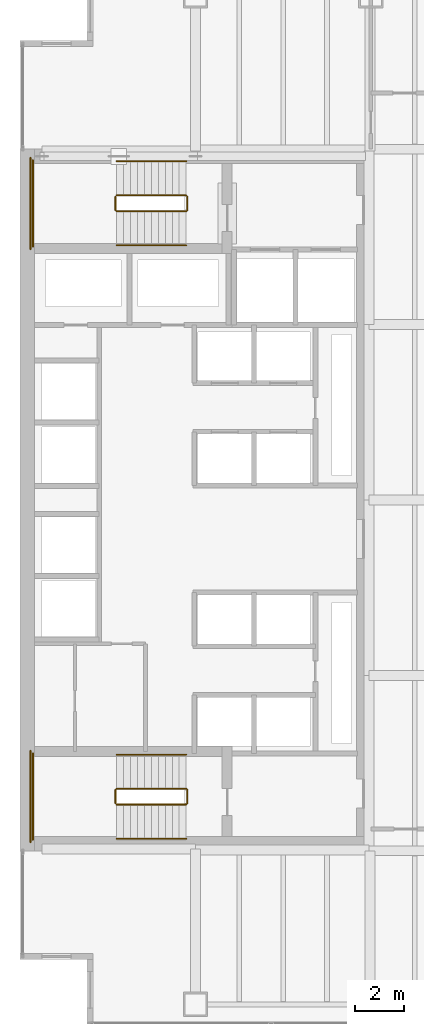
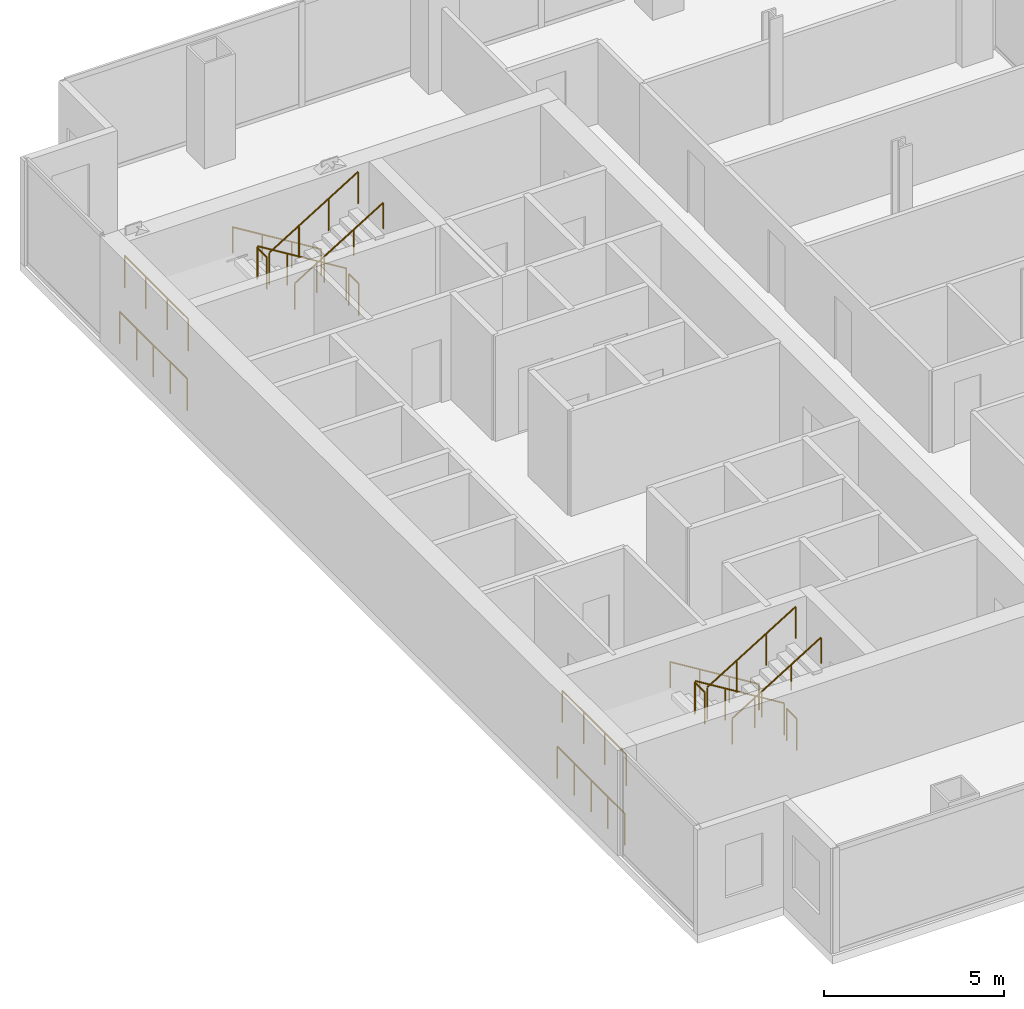
# One storey, part 23 of 23: 16 railings.
"""IFC4 building model written with IfcOpenShell, lengths in metres."""

import ifcopenshell
import ifcopenshell.guid

model = None  # the IFC model being written
_history = None  # IfcOwnerHistory: only IFC2X3 demands one
_inside = {}  # id of a spatial element -> (the spatial element, [elements in it])
_under = {}  # id of a project, library or spatial element -> (it, [spatial elements below it])
_declared = {}  # id of a project -> (the project, [libraries it declares])
_typed = {}  # id of a type object -> (the type object, [elements of that type])
_made_of = {}  # id of a material, layer set ... -> (it, [elements and type objects made of it])


def new_model(schema):
    """Start an empty IFC model of exactly this schema.

    Asked for "IFC4X3", IfcOpenShell would pick the latest addendum, in which some entities
    have other attributes; the version numbers below select the first issue.
    IFC2X3 requires an IfcOwnerHistory on every rooted entity: one is made here for all.
    """
    global model, _history
    if schema == "IFC4X3":
        model = ifcopenshell.file(schema_version=(4, 3, 0, 0))
    else:
        model = ifcopenshell.file(schema=schema)
    _inside.clear()
    _under.clear()
    _declared.clear()
    _typed.clear()
    _made_of.clear()
    _history = None
    if model.schema == "IFC2X3":
        org = make("IfcOrganization", Name="unknown")
        user = make(
            "IfcPersonAndOrganization",
            ThePerson=make("IfcPerson", FamilyName="unknown"),
            TheOrganization=org,
        )
        app = make(
            "IfcApplication",
            ApplicationDeveloper=org,
            Version="unknown",
            ApplicationFullName="unknown",
            ApplicationIdentifier="unknown",
        )
        _history = make(
            "IfcOwnerHistory",
            OwningUser=user,
            OwningApplication=app,
            ChangeAction="ADDED",
            CreationDate=0,
        )
    return model


def make(cls, **values):
    """One entity of the class cls with the attributes given. An attribute that is None is left unset."""
    return model.create_entity(
        cls, **{name: value for name, value in values.items() if value is not None}
    )


def rooted(cls, **values):
    """An entity with a GlobalId (a new one), such as an element, a storey or a relation."""
    return make(cls, GlobalId=ifcopenshell.guid.new(), OwnerHistory=_history, **values)


def si_unit(unit_type, name, prefix=None):
    """IfcSIUnit, for example si_unit("LENGTHUNIT", "METRE", prefix="MILLI")."""
    return make("IfcSIUnit", UnitType=unit_type, Prefix=prefix, Name=name)


def assignment(units):
    """IfcUnitAssignment: the units of a project."""
    return None if units is None else make("IfcUnitAssignment", Units=units)


def point(xyz):
    """IfcCartesianPoint."""
    return None if xyz is None else make("IfcCartesianPoint", Coordinates=xyz)


def direction(xyz):
    """IfcDirection."""
    return None if xyz is None else make("IfcDirection", DirectionRatios=xyz)


def frame(location, z_axis=None, x_axis=None):
    """IfcAxis2Placement3D, a coordinate frame: its origin and axes. An axis left out is left unset."""
    return make(
        "IfcAxis2Placement3D",
        Location=point(location),
        Axis=direction(z_axis),
        RefDirection=direction(x_axis),
    )


def frame_2d(location, x_axis=None):
    """IfcAxis2Placement2D, a coordinate frame in the plane: its origin and x axis."""
    return make(
        "IfcAxis2Placement2D", Location=point(location), RefDirection=direction(x_axis)
    )


def origin():
    """The frame at (0, 0, 0) with its axes left unset."""
    return frame((0.0, 0.0, 0.0))


def origin_2d():
    """The frame at (0, 0) in the plane with its x axis left unset."""
    return frame_2d((0.0, 0.0))


def place(relative_to, where):
    """IfcLocalPlacement: puts the frame where relative to a parent placement (None: the world)."""
    return make(
        "IfcLocalPlacement", PlacementRelTo=relative_to, RelativePlacement=where
    )


def context(
    kind, dimensions, precision=None, world=None, true_north=None, identifier=None
):
    """IfcGeometricRepresentationContext, for example the 3D "Model" context."""
    return make(
        "IfcGeometricRepresentationContext",
        ContextIdentifier=identifier,
        ContextType=kind,
        CoordinateSpaceDimension=dimensions,
        Precision=precision,
        WorldCoordinateSystem=world,
        TrueNorth=true_north,
    )


def subcontext(parent, identifier, kind, view, scale=None):
    """IfcGeometricRepresentationSubContext, for example "Body" below "Model"."""
    return make(
        "IfcGeometricRepresentationSubContext",
        ContextIdentifier=identifier,
        ContextType=kind,
        ParentContext=parent,
        TargetScale=scale,
        TargetView=view,
    )


def project(units=None, contexts=None):
    """IfcProject with its units and contexts."""
    return rooted(
        "IfcProject",
        Name="project",
        RepresentationContexts=contexts,
        UnitsInContext=assignment(units),
    )


def spatial(cls, under=None, at=None, **own):
    """A site, building, storey or space (cls), placed at a placement, below another one or the project."""
    s = rooted(cls, ObjectPlacement=at, **own)
    if under is not None:
        _under.setdefault(under.id(), (under, []))[1].append(s)
    return s


def profile(cls, at=None, kind="AREA", **sizes):
    """A parametric profile (cls). Its sizes go by their IFC names, for example OverallWidth=200.0."""
    return make(cls, ProfileType=kind, Position=at, **sizes)


def circle(**sizes):
    """IfcCircleProfileDef."""
    return profile("IfcCircleProfileDef", **sizes)


def extrude(swept, where, along, depth):
    """IfcExtrudedAreaSolid: the profile swept, set in the frame where, extruded along a direction by depth."""
    return make(
        "IfcExtrudedAreaSolid",
        SweptArea=swept,
        Position=where,
        ExtrudedDirection=direction(along),
        Depth=depth,
    )


def shape(context_of_items, identifier, shape_type, items):
    """IfcShapeRepresentation: the items that make up one representation, for example the "Body"."""
    return make(
        "IfcShapeRepresentation",
        ContextOfItems=context_of_items,
        RepresentationIdentifier=identifier,
        RepresentationType=shape_type,
        Items=items,
    )


def material(Name=None, Category=None):
    """IfcMaterial."""
    return make("IfcMaterial", Name=Name, Category=Category)


def made_of(thing, what):
    """Note that an element or type object is made of a material, layer set ...; save() writes the relation."""
    if what is not None:
        _made_of.setdefault(what.id(), (what, []))[1].append(thing)
    return thing


def type_object(cls, material=None, **own):
    """A type object (cls), such as IfcWallType, which elements share."""
    return made_of(rooted(cls, **own), material)


def element(
    cls,
    number,
    at=None,
    inside=None,
    cuts=None,
    type_object=None,
    material=None,
    context=None,
    identifier="Body",
    shape_type=None,
    held_by="IfcProductDefinitionShape",
    body=None,
    shapes=None,
    **own,
):
    """One element of the class cls, such as IfcWall. Its Tag is "e" and its number.

    at: its placement. inside: the storey or other place that contains it. cuts: it is an
    opening in that element (IfcRelVoidsElement). A single representation is given by context,
    identifier, shape_type and body (its items); several are given by shapes. held_by: the class
    of the entity that holds the representations. save() writes the other relations.
    """
    e = rooted(cls, Tag="e%d" % number, ObjectPlacement=at, **own)
    if body is not None:
        shapes = [shape(context, identifier, shape_type, body)]
    if shapes is not None:
        e.Representation = make(held_by, Representations=shapes)
    if inside is not None:
        _inside.setdefault(inside.id(), (inside, []))[1].append(e)
    if cuts is not None:
        rooted(
            "IfcRelVoidsElement", RelatingBuildingElement=cuts, RelatedOpeningElement=e
        )
    if type_object is not None:
        _typed.setdefault(type_object.id(), (type_object, []))[1].append(e)
    return made_of(e, material)


def aggregate(whole, parts):
    """IfcRelAggregates: a whole, such as a stair, and the parts it consists of."""
    return rooted("IfcRelAggregates", RelatingObject=whole, RelatedObjects=parts)


def save(model, path):
    """Write the relations noted so far, then the file.

    IfcRelAggregates (storeys below a building ...), IfcRelContainedInSpatialStructure (elements
    in a storey), IfcRelDefinesByType, IfcRelAssociatesMaterial and IfcRelDeclares: one each for
    every whole, place, type object, material and project.
    """
    for whole, parts in _under.values():
        aggregate(whole, parts)
    for where, things in _inside.values():
        rooted(
            "IfcRelContainedInSpatialStructure",
            RelatedElements=things,
            RelatingStructure=where,
        )
    for kind, things in _typed.values():
        rooted("IfcRelDefinesByType", RelatedObjects=things, RelatingType=kind)
    for what, things in _made_of.values():
        rooted("IfcRelAssociatesMaterial", RelatedObjects=things, RelatingMaterial=what)
    for by, libraries in _declared.values():
        rooted("IfcRelDeclares", RelatingContext=by, RelatedDefinitions=libraries)
    model.write(path)


model = new_model("IFC4")

# Units and contexts
model_context = context("Model", 3, precision=1e-05, world=origin(), true_north=direction((0.0, 1.0)))
body_context = subcontext(model_context, "Body", "Model", "MODEL_VIEW")
ifc_project = project(units=[si_unit("LENGTHUNIT", "METRE"), si_unit("AREAUNIT", "SQUARE_METRE"), si_unit("VOLUMEUNIT", "CUBIC_METRE"), si_unit("PLANEANGLEUNIT", "RADIAN"), si_unit("MASSUNIT", "GRAM", prefix="KILO")], contexts=[model_context])

# Site, building, storey
site_placement = place(None, origin())
site = spatial("IfcSite", under=ifc_project, at=site_placement, CompositionType="ELEMENT")
building_placement = place(site_placement, origin())
building = spatial("IfcBuilding", under=site, at=building_placement, Name="Cobrela Telecom Tower", CompositionType="ELEMENT")
storey_placement = place(building_placement, frame((0.0, 0.0, 73.5)))
storey = spatial("IfcBuildingStorey", under=building, at=storey_placement, Name="L18", CompositionType="ELEMENT", Elevation=73.5)

# Railings
ifc_material = material(Name="Steel ASTM A36", Category="steel")
railing_type_1 = type_object("IfcRailingType", Name="RAIL-GUARD-1100", PredefinedType="GUARDRAIL", material=ifc_material)
railing_1_placement = place(storey_placement, frame((6.820068359375, 34.10009765625, 0.175048828125)))
element("IfcRailing", 1, at=railing_1_placement, inside=storey, type_object=railing_type_1, Name="L18 ST1 stair guard 1", PredefinedType="GUARDRAIL", context=body_context, shape_type="SweptSolid", body=[
    extrude(circle(Radius=0.02392578125, at=origin_2d()), frame((0.0, 0.0, 1.076171875), z_axis=(-0.852179220489, 0.0, 0.52325001306), x_axis=(0.0, -1.0, 0.0)), (0.0, 0.0, 1.0), 3.344482421875),
    extrude(circle(Radius=0.02099609375, at=origin_2d()), origin(), (0.0, 0.0, 1.0), 1.052001953125),
    extrude(circle(Radius=0.02099609375, at=origin_2d()), frame((-0.949951171875, 0.0, 0.583251953125)), (0.0, 0.0, 1.0), 1.052001953125),
    extrude(circle(Radius=0.02099609375, at=origin_2d()), frame((-1.900146484375, 0.0, 1.166748046875)), (0.0, 0.0, 1.0), 1.052001953125),
    extrude(circle(Radius=0.02099609375, at=origin_2d()), frame((-2.85009765625, 0.0, 1.75)), (0.0, 0.0, 1.0), 1.052001953125),
])
railing_2_placement = place(storey_placement, frame((3.919921875, 34.050048828125, 1.925048828125)))
element("IfcRailing", 2, at=railing_2_placement, inside=storey, type_object=railing_type_1, Name="L18 ST1 stair guard 2", PredefinedType="GUARDRAIL", context=body_context, shape_type="SweptSolid", body=[
    extrude(circle(Radius=0.02392578125, at=origin_2d()), frame((0.0, 0.0, 1.076171875), z_axis=(0.0, -1.0, 0.0), x_axis=(1.0, 0.0, 0.0)), (0.0, 0.0, 1.0), 0.550048828125),
    extrude(circle(Radius=0.02099609375, at=origin_2d()), origin(), (0.0, 0.0, 1.0), 1.052001953125),
    extrude(circle(Radius=0.02099609375, at=origin_2d()), frame((0.0, -0.550048828125, 0.0)), (0.0, 0.0, 1.0), 1.052001953125),
])
railing_3_placement = place(storey_placement, frame((0.530029296875, 35.550048828125, 1.925048828125)))
element("IfcRailing", 3, at=railing_3_placement, inside=storey, type_object=railing_type_1, Name="L18 ST1 stair guard 3", PredefinedType="GUARDRAIL", context=body_context, shape_type="SweptSolid", body=[
    extrude(circle(Radius=0.02392578125, at=origin_2d()), frame((0.0, 0.0, 1.076171875), z_axis=(0.0, -1.0, 0.0), x_axis=(1.0, 0.0, 0.0)), (0.0, 0.0, 1.0), 3.550048828125),
    extrude(circle(Radius=0.02099609375, at=origin_2d()), origin(), (0.0, 0.0, 1.0), 1.052001953125),
    extrude(circle(Radius=0.02099609375, at=origin_2d()), frame((0.0, -1.183349609375, 0.0)), (0.0, 0.0, 1.0), 1.052001953125),
    extrude(circle(Radius=0.02099609375, at=origin_2d()), frame((0.0, -2.36669921875, 0.0)), (0.0, 0.0, 1.0), 1.052001953125),
    extrude(circle(Radius=0.02099609375, at=origin_2d()), frame((0.0, -3.550048828125, 0.0)), (0.0, 0.0, 1.0), 1.052001953125),
])
railing_4_placement = place(storey_placement, frame((3.969970703125, 33.449951171875, 2.10009765625)))
element("IfcRailing", 4, at=railing_4_placement, inside=storey, type_object=railing_type_1, Name="L18 ST1 stair guard 4", PredefinedType="GUARDRAIL", context=body_context, shape_type="SweptSolid", body=[
    extrude(circle(Radius=0.02392578125, at=origin_2d()), frame((0.0, 0.0, 1.076171875), z_axis=(0.852179220489, 0.0, 0.52325001306), x_axis=(0.0, 1.0, 0.0)), (0.0, 0.0, 1.0), 3.344482421875),
    extrude(circle(Radius=0.02099609375, at=origin_2d()), origin(), (0.0, 0.0, 1.0), 1.052001953125),
    extrude(circle(Radius=0.02099609375, at=origin_2d()), frame((0.949951171875, 0.0, 0.583251953125)), (0.0, 0.0, 1.0), 1.052001953125),
    extrude(circle(Radius=0.02099609375, at=origin_2d()), frame((1.900146484375, 0.0, 1.166748046875)), (0.0, 0.0, 1.0), 1.052001953125),
    extrude(circle(Radius=0.02099609375, at=origin_2d()), frame((2.85009765625, 0.0, 1.75)), (0.0, 0.0, 1.0), 1.052001953125),
])
railing_5_placement = place(storey_placement, frame((6.8701171875, 34.050048828125, 0.0)))
element("IfcRailing", 5, at=railing_5_placement, inside=storey, type_object=railing_type_1, Name="L18 ST1 stair guard 5", PredefinedType="GUARDRAIL", context=body_context, shape_type="SweptSolid", body=[
    extrude(circle(Radius=0.02392578125, at=origin_2d()), frame((0.0, 0.0, 1.076171875), z_axis=(0.0, -1.0, 0.0), x_axis=(1.0, 0.0, 0.0)), (0.0, 0.0, 1.0), 0.550048828125),
    extrude(circle(Radius=0.02099609375, at=origin_2d()), origin(), (0.0, 0.0, 1.0), 1.052001953125),
    extrude(circle(Radius=0.02099609375, at=origin_2d()), frame((0.0, -0.550048828125, 0.0)), (0.0, 0.0, 1.0), 1.052001953125),
])
railing_6_placement = place(storey_placement, frame((0.429931640625, 35.64990234375, 0.0)))
element("IfcRailing", 6, at=railing_6_placement, inside=storey, type_object=railing_type_1, Name="L18 ST1 stair guard 6", PredefinedType="GUARDRAIL", context=body_context, shape_type="SweptSolid", body=[
    extrude(circle(Radius=0.02392578125, at=origin_2d()), frame((0.0, 0.0, 1.076171875), z_axis=(0.0, -1.0, 0.0), x_axis=(1.0, 0.0, 0.0)), (0.0, 0.0, 1.0), 3.75),
    extrude(circle(Radius=0.02099609375, at=origin_2d()), origin(), (0.0, 0.0, 1.0), 1.052001953125),
    extrude(circle(Radius=0.02099609375, at=origin_2d()), frame((0.0, -0.9375, 0.0)), (0.0, 0.0, 1.0), 1.052001953125),
    extrude(circle(Radius=0.02099609375, at=origin_2d()), frame((0.0, -1.875, 0.0)), (0.0, 0.0, 1.0), 1.052001953125),
    extrude(circle(Radius=0.02099609375, at=origin_2d()), frame((0.0, -2.8125, 0.0)), (0.0, 0.0, 1.0), 1.052001953125),
    extrude(circle(Radius=0.02099609375, at=origin_2d()), frame((0.0, -3.75, 0.0)), (0.0, 0.0, 1.0), 1.052001953125),
])
railing_7_placement = place(storey_placement, frame((6.820068359375, 9.75, 0.175048828125)))
element("IfcRailing", 7, at=railing_7_placement, inside=storey, type_object=railing_type_1, Name="L18 ST2 stair guard 1", PredefinedType="GUARDRAIL", context=body_context, shape_type="SweptSolid", body=[
    extrude(circle(Radius=0.02392578125, at=origin_2d()), frame((0.0, 0.0, 1.076171875), z_axis=(-0.852179220489, 0.0, 0.52325001306), x_axis=(0.0, -1.0, 0.0)), (0.0, 0.0, 1.0), 3.344482421875),
    extrude(circle(Radius=0.02099609375, at=origin_2d()), origin(), (0.0, 0.0, 1.0), 1.052001953125),
    extrude(circle(Radius=0.02099609375, at=origin_2d()), frame((-0.949951171875, 0.0, 0.583251953125)), (0.0, 0.0, 1.0), 1.052001953125),
    extrude(circle(Radius=0.02099609375, at=origin_2d()), frame((-1.900146484375, 0.0, 1.166748046875)), (0.0, 0.0, 1.0), 1.052001953125),
    extrude(circle(Radius=0.02099609375, at=origin_2d()), frame((-2.85009765625, 0.0, 1.75)), (0.0, 0.0, 1.0), 1.052001953125),
])
railing_8_placement = place(storey_placement, frame((3.919921875, 9.699951171875, 1.925048828125)))
element("IfcRailing", 8, at=railing_8_placement, inside=storey, type_object=railing_type_1, Name="L18 ST2 stair guard 2", PredefinedType="GUARDRAIL", context=body_context, shape_type="SweptSolid", body=[
    extrude(circle(Radius=0.02392578125, at=origin_2d()), frame((0.0, 0.0, 1.076171875), z_axis=(0.0, -1.0, 0.0), x_axis=(1.0, 0.0, 0.0)), (0.0, 0.0, 1.0), 0.550048828125),
    extrude(circle(Radius=0.02099609375, at=origin_2d()), origin(), (0.0, 0.0, 1.0), 1.052001953125),
    extrude(circle(Radius=0.02099609375, at=origin_2d()), frame((0.0, -0.550048828125, 0.0)), (0.0, 0.0, 1.0), 1.052001953125),
])
railing_9_placement = place(storey_placement, frame((0.530029296875, 11.199951171875, 1.925048828125)))
element("IfcRailing", 9, at=railing_9_placement, inside=storey, type_object=railing_type_1, Name="L18 ST2 stair guard 3", PredefinedType="GUARDRAIL", context=body_context, shape_type="SweptSolid", body=[
    extrude(circle(Radius=0.02392578125, at=origin_2d()), frame((0.0, 0.0, 1.076171875), z_axis=(0.0, -1.0, 0.0), x_axis=(1.0, 0.0, 0.0)), (0.0, 0.0, 1.0), 3.550048828125),
    extrude(circle(Radius=0.02099609375, at=origin_2d()), origin(), (0.0, 0.0, 1.0), 1.052001953125),
    extrude(circle(Radius=0.02099609375, at=origin_2d()), frame((0.0, -1.183349609375, 0.0)), (0.0, 0.0, 1.0), 1.052001953125),
    extrude(circle(Radius=0.02099609375, at=origin_2d()), frame((0.0, -2.36669921875, 0.0)), (0.0, 0.0, 1.0), 1.052001953125),
    extrude(circle(Radius=0.02099609375, at=origin_2d()), frame((0.0, -3.550048828125, 0.0)), (0.0, 0.0, 1.0), 1.052001953125),
])
railing_10_placement = place(storey_placement, frame((3.969970703125, 9.10009765625, 2.10009765625)))
element("IfcRailing", 10, at=railing_10_placement, inside=storey, type_object=railing_type_1, Name="L18 ST2 stair guard 4", PredefinedType="GUARDRAIL", context=body_context, shape_type="SweptSolid", body=[
    extrude(circle(Radius=0.02392578125, at=origin_2d()), frame((0.0, 0.0, 1.076171875), z_axis=(0.852179220489, 0.0, 0.52325001306), x_axis=(0.0, 1.0, 0.0)), (0.0, 0.0, 1.0), 3.344482421875),
    extrude(circle(Radius=0.02099609375, at=origin_2d()), origin(), (0.0, 0.0, 1.0), 1.052001953125),
    extrude(circle(Radius=0.02099609375, at=origin_2d()), frame((0.949951171875, 0.0, 0.583251953125)), (0.0, 0.0, 1.0), 1.052001953125),
    extrude(circle(Radius=0.02099609375, at=origin_2d()), frame((1.900146484375, 0.0, 1.166748046875)), (0.0, 0.0, 1.0), 1.052001953125),
    extrude(circle(Radius=0.02099609375, at=origin_2d()), frame((2.85009765625, 0.0, 1.75)), (0.0, 0.0, 1.0), 1.052001953125),
])
railing_11_placement = place(storey_placement, frame((6.8701171875, 9.699951171875, 0.0)))
element("IfcRailing", 11, at=railing_11_placement, inside=storey, type_object=railing_type_1, Name="L18 ST2 stair guard 5", PredefinedType="GUARDRAIL", context=body_context, shape_type="SweptSolid", body=[
    extrude(circle(Radius=0.02392578125, at=origin_2d()), frame((0.0, 0.0, 1.076171875), z_axis=(0.0, -1.0, 0.0), x_axis=(1.0, 0.0, 0.0)), (0.0, 0.0, 1.0), 0.550048828125),
    extrude(circle(Radius=0.02099609375, at=origin_2d()), origin(), (0.0, 0.0, 1.0), 1.052001953125),
    extrude(circle(Radius=0.02099609375, at=origin_2d()), frame((0.0, -0.550048828125, 0.0)), (0.0, 0.0, 1.0), 1.052001953125),
])
railing_12_placement = place(storey_placement, frame((0.429931640625, 11.300048828125, 0.0)))
element("IfcRailing", 12, at=railing_12_placement, inside=storey, type_object=railing_type_1, Name="L18 ST2 stair guard 6", PredefinedType="GUARDRAIL", context=body_context, shape_type="SweptSolid", body=[
    extrude(circle(Radius=0.02392578125, at=origin_2d()), frame((0.0, 0.0, 1.076171875), z_axis=(0.0, -1.0, 0.0), x_axis=(1.0, 0.0, 0.0)), (0.0, 0.0, 1.0), 3.75),
    extrude(circle(Radius=0.02099609375, at=origin_2d()), origin(), (0.0, 0.0, 1.0), 1.052001953125),
    extrude(circle(Radius=0.02099609375, at=origin_2d()), frame((0.0, -0.9375, 0.0)), (0.0, 0.0, 1.0), 1.052001953125),
    extrude(circle(Radius=0.02099609375, at=origin_2d()), frame((0.0, -1.875, 0.0)), (0.0, 0.0, 1.0), 1.052001953125),
    extrude(circle(Radius=0.02099609375, at=origin_2d()), frame((0.0, -2.8125, 0.0)), (0.0, 0.0, 1.0), 1.052001953125),
    extrude(circle(Radius=0.02099609375, at=origin_2d()), frame((0.0, -3.75, 0.0)), (0.0, 0.0, 1.0), 1.052001953125),
])
railing_type_2 = type_object("IfcRailingType", Name="RAIL-HAND-920", PredefinedType="HANDRAIL", material=ifc_material)
railing_13_placement = place(storey_placement, frame((6.820068359375, 35.5, 0.175048828125)))
element("IfcRailing", 13, at=railing_13_placement, inside=storey, type_object=railing_type_2, Name="L18 ST1 stair handrail 1", PredefinedType="HANDRAIL", context=body_context, shape_type="SweptSolid", body=[
    extrude(circle(Radius=0.02392578125, at=origin_2d()), frame((0.0, 0.0, 0.8759765625), z_axis=(-0.852179220489, 0.0, 0.52325001306), x_axis=(0.0, -1.0, 0.0)), (0.0, 0.0, 1.0), 3.344482421875),
    extrude(circle(Radius=0.02099609375, at=origin_2d()), origin(), (0.0, 0.0, 1.0), 0.851806640625),
    extrude(circle(Radius=0.02099609375, at=origin_2d()), frame((-0.949951171875, 0.0, 0.583251953125)), (0.0, 0.0, 1.0), 0.851806640625),
    extrude(circle(Radius=0.02099609375, at=origin_2d()), frame((-1.900146484375, 0.0, 1.166748046875)), (0.0, 0.0, 1.0), 0.851806640625),
    extrude(circle(Radius=0.02099609375, at=origin_2d()), frame((-2.85009765625, 0.0, 1.75)), (0.0, 0.0, 1.0), 0.851806640625),
])
railing_14_placement = place(storey_placement, frame((3.969970703125, 32.050048828125, 2.10009765625)))
element("IfcRailing", 14, at=railing_14_placement, inside=storey, type_object=railing_type_2, Name="L18 ST1 stair handrail 2", PredefinedType="HANDRAIL", context=body_context, shape_type="SweptSolid", body=[
    extrude(circle(Radius=0.02392578125, at=origin_2d()), frame((0.0, 0.0, 0.8759765625), z_axis=(0.852179220489, 0.0, 0.52325001306), x_axis=(0.0, 1.0, 0.0)), (0.0, 0.0, 1.0), 3.344482421875),
    extrude(circle(Radius=0.02099609375, at=origin_2d()), origin(), (0.0, 0.0, 1.0), 0.851806640625),
    extrude(circle(Radius=0.02099609375, at=origin_2d()), frame((0.949951171875, 0.0, 0.583251953125)), (0.0, 0.0, 1.0), 0.851806640625),
    extrude(circle(Radius=0.02099609375, at=origin_2d()), frame((1.900146484375, 0.0, 1.166748046875)), (0.0, 0.0, 1.0), 0.851806640625),
    extrude(circle(Radius=0.02099609375, at=origin_2d()), frame((2.85009765625, 0.0, 1.75)), (0.0, 0.0, 1.0), 0.851806640625),
])
railing_15_placement = place(storey_placement, frame((6.820068359375, 11.14990234375, 0.175048828125)))
element("IfcRailing", 15, at=railing_15_placement, inside=storey, type_object=railing_type_2, Name="L18 ST2 stair handrail 1", PredefinedType="HANDRAIL", context=body_context, shape_type="SweptSolid", body=[
    extrude(circle(Radius=0.02392578125, at=origin_2d()), frame((0.0, 0.0, 0.8759765625), z_axis=(-0.852179220489, 0.0, 0.52325001306), x_axis=(0.0, -1.0, 0.0)), (0.0, 0.0, 1.0), 3.344482421875),
    extrude(circle(Radius=0.02099609375, at=origin_2d()), origin(), (0.0, 0.0, 1.0), 0.851806640625),
    extrude(circle(Radius=0.02099609375, at=origin_2d()), frame((-0.949951171875, 0.0, 0.583251953125)), (0.0, 0.0, 1.0), 0.851806640625),
    extrude(circle(Radius=0.02099609375, at=origin_2d()), frame((-1.900146484375, 0.0, 1.166748046875)), (0.0, 0.0, 1.0), 0.851806640625),
    extrude(circle(Radius=0.02099609375, at=origin_2d()), frame((-2.85009765625, 0.0, 1.75)), (0.0, 0.0, 1.0), 0.851806640625),
])
railing_16_placement = place(storey_placement, frame((3.969970703125, 7.699951171875, 2.10009765625)))
element("IfcRailing", 16, at=railing_16_placement, inside=storey, type_object=railing_type_2, Name="L18 ST2 stair handrail 2", PredefinedType="HANDRAIL", context=body_context, shape_type="SweptSolid", body=[
    extrude(circle(Radius=0.02392578125, at=origin_2d()), frame((0.0, 0.0, 0.8759765625), z_axis=(0.852179220489, 0.0, 0.52325001306), x_axis=(0.0, 1.0, 0.0)), (0.0, 0.0, 1.0), 3.344482421875),
    extrude(circle(Radius=0.02099609375, at=origin_2d()), origin(), (0.0, 0.0, 1.0), 0.851806640625),
    extrude(circle(Radius=0.02099609375, at=origin_2d()), frame((0.949951171875, 0.0, 0.583251953125)), (0.0, 0.0, 1.0), 0.851806640625),
    extrude(circle(Radius=0.02099609375, at=origin_2d()), frame((1.900146484375, 0.0, 1.166748046875)), (0.0, 0.0, 1.0), 0.851806640625),
    extrude(circle(Radius=0.02099609375, at=origin_2d()), frame((2.85009765625, 0.0, 1.75)), (0.0, 0.0, 1.0), 0.851806640625),
])

save(model, "model.ifc")
